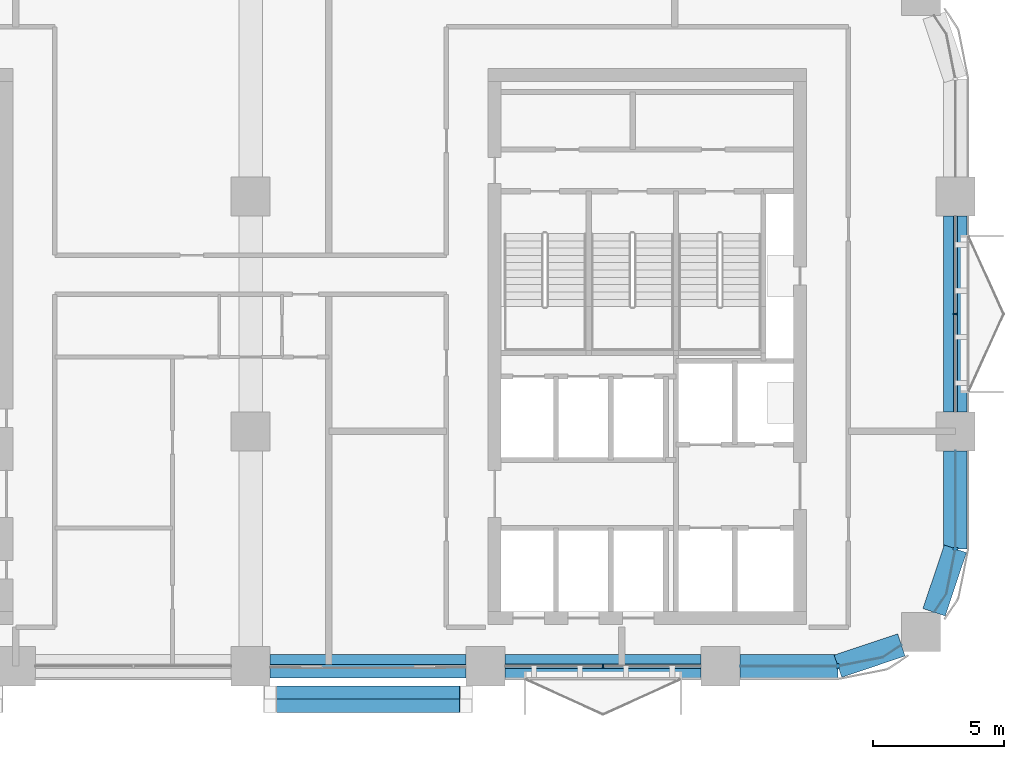
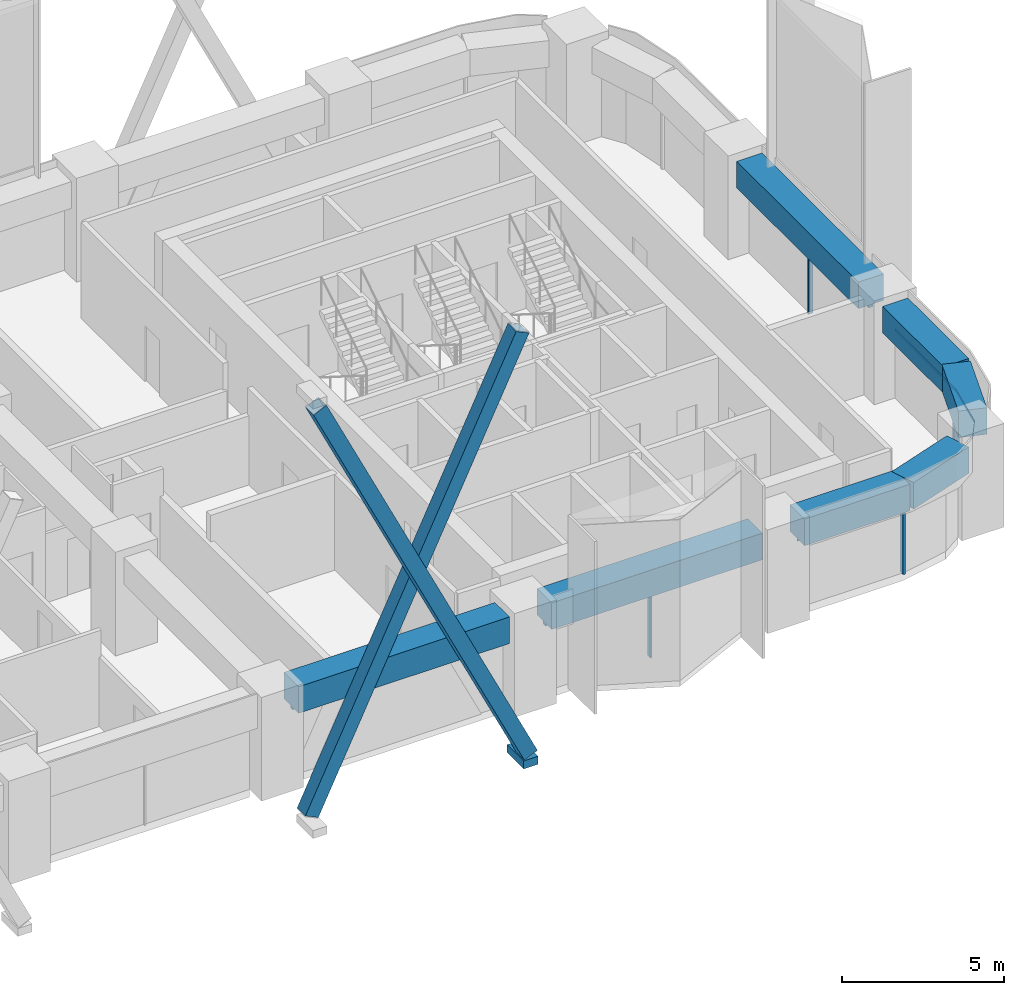
# One storey, part 5 of 14: 12 members, 7 beams, 5 elements without a shape of their own.
"""IFC4 building model written with IfcOpenShell, lengths in metres."""

from ifc_helpers import new_model, si_unit, direction, frame, origin, origin_2d, place, context, subcontext, project, spatial, polyline, rectangle, hollow_rectangle, outline, extrude, material, layer, layer_set, material_profile, profile_set, type_object, element, aggregate, save


model = new_model("IFC4")

# Units and contexts
model_context = context("Model", 3, precision=1e-05, world=origin(), true_north=direction((0.0, 1.0)))
body_context = subcontext(model_context, "Body", "Model", "MODEL_VIEW")
ifc_project = project(units=[si_unit("LENGTHUNIT", "METRE"), si_unit("AREAUNIT", "SQUARE_METRE"), si_unit("VOLUMEUNIT", "CUBIC_METRE"), si_unit("PLANEANGLEUNIT", "RADIAN"), si_unit("MASSUNIT", "GRAM", prefix="KILO")], contexts=[model_context])

# Site, building, storey
site_placement = place(None, origin())
site = spatial("IfcSite", under=ifc_project, at=site_placement, CompositionType="ELEMENT")
building_placement = place(site_placement, origin())
building = spatial("IfcBuilding", under=site, at=building_placement, Name="Tessera Arch", CompositionType="ELEMENT")
storey_placement = place(building_placement, frame((0.0, 0.0, 150.5)))
storey = spatial("IfcBuildingStorey", under=building, at=storey_placement, Name="L35", CompositionType="ELEMENT", Elevation=150.5)

# Members
ifc_material_1 = material(Name="Steel A500 Gr C", Category="steel")
ifc_material_profile_1 = material_profile(ifc_material_1, hollow_rectangle(XDim=0.508056640625, YDim=0.508056640625, WallThickness=0.0146484375, at=origin_2d()), Name="HSS20x20x5/8")
ifc_profile_set_1 = profile_set([ifc_material_profile_1], Name="Steel A500 Gr C")
member_type_1 = type_object("IfcMemberType", Name="Brace HSS20x20x5/8 Steel A500 Gr C", PredefinedType="BRACE", material=ifc_profile_set_1)
for number, where, z_axis, x_axis, name in (
    (1, (27.75, 25.99609375, -0.800048828125), (0.43329223169, 0.0, 0.901253483742), (0.0, 1.0, 0.0), "Brace S27.0-3 A L35-L38"),
    (2, (35.25, 25.488037109375, -0.800048828125), (-0.43329223169, 0.0, 0.901253483742), (0.0, -1.0, 0.0), "Brace S27.0-3 B L35-L38"),
):
    element("IfcMember", number, at=place(storey_placement, frame(where, z_axis=z_axis, x_axis=x_axis)), inside=storey, type_object=member_type_1, Name=name, PredefinedType="BRACE", context=body_context, shape_type="SweptSolid", body=[
        extrude(hollow_rectangle(XDim=0.508056640625, YDim=0.508056640625, WallThickness=0.0146484375, at=origin_2d()), origin(), (0.0, 0.0, 1.0), 17.309326171875),
    ])

# Curtain wall, member
ifc_material_2 = material(Name="CW1 curtain wall")
curtain_wall_type_1 = type_object("IfcCurtainWallType", Name="CW1 curtain wall", PredefinedType="NOTDEFINED", material=ifc_material_2)
curtain_wall_1_placement = place(storey_placement, origin())
curtain_wall_1 = element("IfcCurtainWall", 3, at=curtain_wall_1_placement, inside=storey, type_object=curtain_wall_type_1, Name="CW1 curtain wall E54.27/0 L35", PredefinedType="NOTDEFINED")
ifc_material_3 = material(Name="Anodised aluminium pale metal", Category="aluminium")
ifc_material_profile_2 = material_profile(ifc_material_3, rectangle(XDim=0.159912109375, YDim=0.06005859375, at=origin_2d()), Name="AL 60x160")
ifc_profile_set_2 = profile_set([ifc_material_profile_2], Name="Anodised aluminium pale metal")
member_type_2 = type_object("IfcMemberType", Name="CW1 mullion", PredefinedType="MULLION", material=ifc_profile_set_2)
member_1_placement = place(storey_placement, frame((54.0, 40.5, 0.0), z_axis=(0.0, 0.0, 1.0), x_axis=(-1.0, 0.0, 0.0)))
member_1 = element("IfcMember", 4, at=member_1_placement, type_object=member_type_2, Name="CW1 mullion E54.27/0 1", PredefinedType="MULLION", context=body_context, shape_type="SweptSolid", body=[
    extrude(rectangle(XDim=0.159912109375, YDim=0.06005859375, at=origin_2d()), origin(), (0.0, 0.0, 1.0), 2.5),
])

curtain_wall_2_placement = place(storey_placement, origin())
curtain_wall_2 = element("IfcCurtainWall", 5, at=curtain_wall_2_placement, inside=storey, type_object=curtain_wall_type_1, Name="CW1 curtain wall S27.0/4 L35", PredefinedType="NOTDEFINED")
member_2_placement = place(storey_placement, frame((40.5, 27.0, 0.0), z_axis=(0.0, 0.0, 1.0), x_axis=(0.0, 1.0, 0.0)))
member_2 = element("IfcMember", 6, at=member_2_placement, type_object=member_type_2, Name="CW1 mullion S27.0/4 1", PredefinedType="MULLION", context=body_context, shape_type="SweptSolid", body=[
    extrude(rectangle(XDim=0.159912109375, YDim=0.06005859375, at=origin_2d()), origin(), (0.0, 0.0, 1.0), 2.5),
])

# Member
ifc_material_4 = material(Name="Anodised aluminium pale metal", Category="aluminium")
ifc_material_profile_3 = material_profile(ifc_material_4, rectangle(XDim=0.159912109375, YDim=0.10009765625, at=origin_2d()), Name="AL 160x100")
ifc_profile_set_3 = profile_set([ifc_material_profile_3], Name="Anodised aluminium pale metal")
member_type_3 = type_object("IfcMemberType", Name="CW1 transom", PredefinedType="USERDEFINED", material=ifc_profile_set_3)
member_3_placement = place(storey_placement, frame((54.0, 36.75, 2.550048828125), z_axis=(0.0, 1.0, 0.0), x_axis=(-1.0, 0.0, 0.0)))
member_3 = element("IfcMember", 7, at=member_3_placement, type_object=member_type_3, Name="CW1 transom E54.27/0 1.1", ObjectType="TRANSOM", PredefinedType="USERDEFINED", context=body_context, shape_type="SweptSolid", body=[
    extrude(rectangle(XDim=0.159912109375, YDim=0.10009765625, at=origin_2d()), origin(), (0.0, 0.0, 1.0), 7.5),
])

aggregate(curtain_wall_1, [member_1, member_3])

member_4_placement = place(storey_placement, frame((36.75, 27.0, 2.550048828125), z_axis=(1.0, 0.0, 0.0), x_axis=(0.0, 1.0, 0.0)))
member_4 = element("IfcMember", 8, at=member_4_placement, type_object=member_type_3, Name="CW1 transom S27.0/4 1.1", ObjectType="TRANSOM", PredefinedType="USERDEFINED", context=body_context, shape_type="SweptSolid", body=[
    extrude(rectangle(XDim=0.159912109375, YDim=0.10009765625, at=origin_2d()), origin(), (0.0, 0.0, 1.0), 7.5),
])

aggregate(curtain_wall_2, [member_2, member_4])

# Curtain wall, member
ifc_material_5 = material(Name="CW2 curtain wall")
curtain_wall_type_2 = type_object("IfcCurtainWallType", Name="CW2 curtain wall", PredefinedType="NOTDEFINED", material=ifc_material_5)
curtain_wall_3_placement = place(storey_placement, origin())
curtain_wall_3 = element("IfcCurtainWall", 9, at=curtain_wall_3_placement, inside=storey, type_object=curtain_wall_type_2, Name="CW2 curtain wall S27.0/5 L35", PredefinedType="NOTDEFINED")
ifc_material_6 = material(Name="Anodised aluminium pale metal", Category="aluminium")
ifc_material_profile_4 = material_profile(ifc_material_6, rectangle(XDim=0.199951171875, YDim=0.080078125, at=origin_2d()), Name="AL 80x200")
ifc_profile_set_4 = profile_set([ifc_material_profile_4], Name="Anodised aluminium pale metal")
member_type_4 = type_object("IfcMemberType", Name="CW2 mullion", PredefinedType="MULLION", material=ifc_profile_set_4)
member_5_placement = place(storey_placement, frame((49.5, 27.0, 0.0), z_axis=(0.0, 0.0, 1.0), x_axis=(0.0, 1.0, 0.0)))
member_5 = element("IfcMember", 10, at=member_5_placement, type_object=member_type_4, Name="CW2 mullion S27.0/5 1", PredefinedType="MULLION", context=body_context, shape_type="SweptSolid", body=[
    extrude(rectangle(XDim=0.199951171875, YDim=0.080078125, at=origin_2d()), origin(), (0.0, 0.0, 1.0), 2.5),
])

curtain_wall_4_placement = place(storey_placement, origin())
curtain_wall_4 = element("IfcCurtainWall", 11, at=curtain_wall_4_placement, inside=storey, type_object=curtain_wall_type_2, Name="CW2 curtain wall E54.27/2 L35", PredefinedType="NOTDEFINED")
member_6_placement = place(storey_placement, frame((54.0, 31.5, 0.0), z_axis=(0.0, 0.0, 1.0), x_axis=(-1.0, 0.0, 0.0)))
member_6 = element("IfcMember", 12, at=member_6_placement, type_object=member_type_4, Name="CW2 mullion E54.27/2 1", PredefinedType="MULLION", context=body_context, shape_type="SweptSolid", body=[
    extrude(rectangle(XDim=0.199951171875, YDim=0.080078125, at=origin_2d()), origin(), (0.0, 0.0, 1.0), 2.5),
])

# Member
ifc_material_7 = material(Name="Anodised aluminium pale metal", Category="aluminium")
ifc_material_profile_5 = material_profile(ifc_material_7, rectangle(XDim=0.199951171875, YDim=0.10009765625, at=origin_2d()), Name="AL 200x100")
ifc_profile_set_5 = profile_set([ifc_material_profile_5], Name="Anodised aluminium pale metal")
member_type_5 = type_object("IfcMemberType", Name="CW2 transom", PredefinedType="USERDEFINED", material=ifc_profile_set_5)
member_7_placement = place(storey_placement, frame((0.0, 0.0, 2.5)))
member_7 = element("IfcMember", 13, at=member_7_placement, type_object=member_type_5, Name="CW2 transom S27.0/5 1", ObjectType="TRANSOM", PredefinedType="USERDEFINED", context=body_context, shape_type="SweptSolid", body=[
    extrude(outline(polyline([(49.4990234375, 27.010009765625), (45.75, 27.010009765625), (45.75, 26.989990234375), (49.5009765625, 26.989990234375), (51.22607421875, 27.3330078125), (51.9375, 27.80859375), (51.926513671875, 27.8251953125), (51.21826171875, 27.351806640625), (49.4990234375, 27.010009765625)])), origin(), (0.0, 0.0, 1.0), 0.10009765625),
])

aggregate(curtain_wall_3, [member_5, member_7])

member_8_placement = place(storey_placement, frame((0.0, 0.0, 2.5)))
member_8 = element("IfcMember", 14, at=member_8_placement, type_object=member_type_5, Name="CW2 transom E54.27/2 1", ObjectType="TRANSOM", PredefinedType="USERDEFINED", context=body_context, shape_type="SweptSolid", body=[
    extrude(outline(polyline([(53.648193359375, 29.78173828125), (53.1748046875, 29.073486328125), (53.19140625, 29.0625), (53.6669921875, 29.77392578125), (54.010009765625, 31.4990234375), (54.010009765625, 35.25), (53.989990234375, 35.25), (53.989990234375, 31.5009765625), (53.648193359375, 29.78173828125)])), origin(), (0.0, 0.0, 1.0), 0.10009765625),
])

aggregate(curtain_wall_4, [member_6, member_8])

# Curtain wall, member
ifc_material_8 = material(Name="CW3 curtain wall")
curtain_wall_type_3 = type_object("IfcCurtainWallType", Name="CW3 curtain wall", PredefinedType="NOTDEFINED", material=ifc_material_8)
curtain_wall_5_placement = place(storey_placement, origin())
curtain_wall_5 = element("IfcCurtainWall", 15, at=curtain_wall_5_placement, inside=storey, type_object=curtain_wall_type_3, Name="CW3 curtain wall S27.0/3 L35", PredefinedType="NOTDEFINED")
ifc_material_9 = material(Name="Anodised aluminium pale metal", Category="aluminium")
ifc_material_profile_6 = material_profile(ifc_material_9, rectangle(XDim=0.139892578125, YDim=0.10009765625, at=origin_2d()), Name="AL 140x100")
ifc_profile_set_6 = profile_set([ifc_material_profile_6], Name="Anodised aluminium pale metal")
member_type_6 = type_object("IfcMemberType", Name="CW3 transom", PredefinedType="USERDEFINED", material=ifc_profile_set_6)
member_9_placement = place(storey_placement, frame((27.75, 27.0, 2.550048828125), z_axis=(1.0, 0.0, 0.0), x_axis=(0.0, 1.0, 0.0)))
member_9 = element("IfcMember", 16, at=member_9_placement, type_object=member_type_6, Name="CW3 transom S27.0/3 1.1", ObjectType="TRANSOM", PredefinedType="USERDEFINED", context=body_context, shape_type="SweptSolid", body=[
    extrude(rectangle(XDim=0.139892578125, YDim=0.10009765625, at=origin_2d()), origin(), (0.0, 0.0, 1.0), 7.5),
])
aggregate(curtain_wall_5, [member_9])

# Member
ifc_material_10 = material(Name="Steel A572 Gr50", Category="steel")
ifc_layer = layer(ifc_material_10, 0.050048828125)
ifc_layer_set = layer_set([ifc_layer], Name="Node block Steel A572 Gr50")
member_type_7 = type_object("IfcMemberType", Name="Node block Steel A572 Gr50", PredefinedType="PLATE", material=ifc_layer_set)
member_10_placement = place(storey_placement, frame((35.25, 25.741943359375, -1.232421875), z_axis=(0.0, 0.0, 1.0), x_axis=(1.0, 0.0, 0.0)))
element("IfcMember", 17, at=member_10_placement, inside=storey, type_object=member_type_7, Name="Node block seat S27.0-3 1 L35", PredefinedType="PLATE", context=body_context, shape_type="SweptSolid", body=[
    extrude(rectangle(XDim=0.508056640625, YDim=1.01611328125, at=origin_2d()), origin(), (0.0, 0.0, 1.0), 0.300048828125),
])

# Beams
ifc_material_11 = material(Name="Concrete C70/85", Category="concrete")
ifc_material_profile_7 = material_profile(ifc_material_11, rectangle(XDim=0.89990234375, YDim=1.0, at=origin_2d()), Name="RC spandrel beam 900 x 1000 Concrete C70/85")
ifc_profile_set_7 = profile_set([ifc_material_profile_7], Name="Concrete C70/85")
beam_type = type_object("IfcBeamType", Name="RC spandrel beam 900 x 1000 Concrete C70/85", PredefinedType="BEAM", material=ifc_profile_set_7)
for number, where, z_axis, x_axis, name in (
    (18, (54.0, 36.75, 3.10009765625), (0.0, 1.0, 0.0), (-1.0, 0.0, 0.0), "Spandrel beam L35 E54.27/0"),
    (19, (27.75, 27.0, 3.10009765625), (1.0, 0.0, 0.0), (0.0, 1.0, 0.0), "Spandrel beam L35 S27.0/3"),
    (20, (36.75, 27.0, 3.10009765625), (1.0, 0.0, 0.0), (0.0, 1.0, 0.0), "Spandrel beam L35 S27.0/4"),
):
    element("IfcBeam", number, at=place(storey_placement, frame(where, z_axis=z_axis, x_axis=x_axis)), inside=storey, type_object=beam_type, Name=name, PredefinedType="BEAM", context=body_context, shape_type="SweptSolid", body=[
        extrude(rectangle(XDim=0.89990234375, YDim=1.0, at=origin_2d()), origin(), (0.0, 0.0, 1.0), 7.5),
    ])
beam_1_placement = place(storey_placement, frame((45.75, 27.0, 3.10009765625), z_axis=(1.0, 0.0, 0.0), x_axis=(0.0, 1.0, 0.0)))
element("IfcBeam", 21, at=beam_1_placement, inside=storey, type_object=beam_type, Name="Spandrel beam L35 S27.0/5.1", PredefinedType="BEAM", context=body_context, shape_type="SweptSolid", body=[
    extrude(rectangle(XDim=0.89990234375, YDim=1.0, at=origin_2d()), origin(), (0.0, 0.0, 1.0), 3.75),
])
for number, where, z_axis, x_axis, name in (
    (22, (49.5, 27.0, 3.10009765625), (0.947947973234, 0.31842525032, 0.0), (-0.31842525032, 0.947947973234, 0.0), "Spandrel beam L35 S27.0/5.2"),
    (23, (53.18310546875, 29.068115234375, 3.10009765625), (0.31842525032, 0.947947973234, 0.0), (-0.947947973234, 0.31842525032, 0.0), "Spandrel beam L35 E54.27/2.1"),
):
    element("IfcBeam", number, at=place(storey_placement, frame(where, z_axis=z_axis, x_axis=x_axis)), inside=storey, type_object=beam_type, Name=name, PredefinedType="BEAM", context=body_context, shape_type="SweptSolid", body=[
        extrude(rectangle(XDim=0.89990234375, YDim=1.0, at=origin_2d()), origin(), (0.0, 0.0, 1.0), 2.5654296875),
    ])
beam_2_placement = place(storey_placement, frame((54.0, 31.5, 3.10009765625), z_axis=(0.0, 1.0, 0.0), x_axis=(-1.0, 0.0, 0.0)))
element("IfcBeam", 24, at=beam_2_placement, inside=storey, type_object=beam_type, Name="Spandrel beam L35 E54.27/2.2", PredefinedType="BEAM", context=body_context, shape_type="SweptSolid", body=[
    extrude(rectangle(XDim=0.89990234375, YDim=1.0, at=origin_2d()), origin(), (0.0, 0.0, 1.0), 3.75),
])

save(model, "model.ifc")
